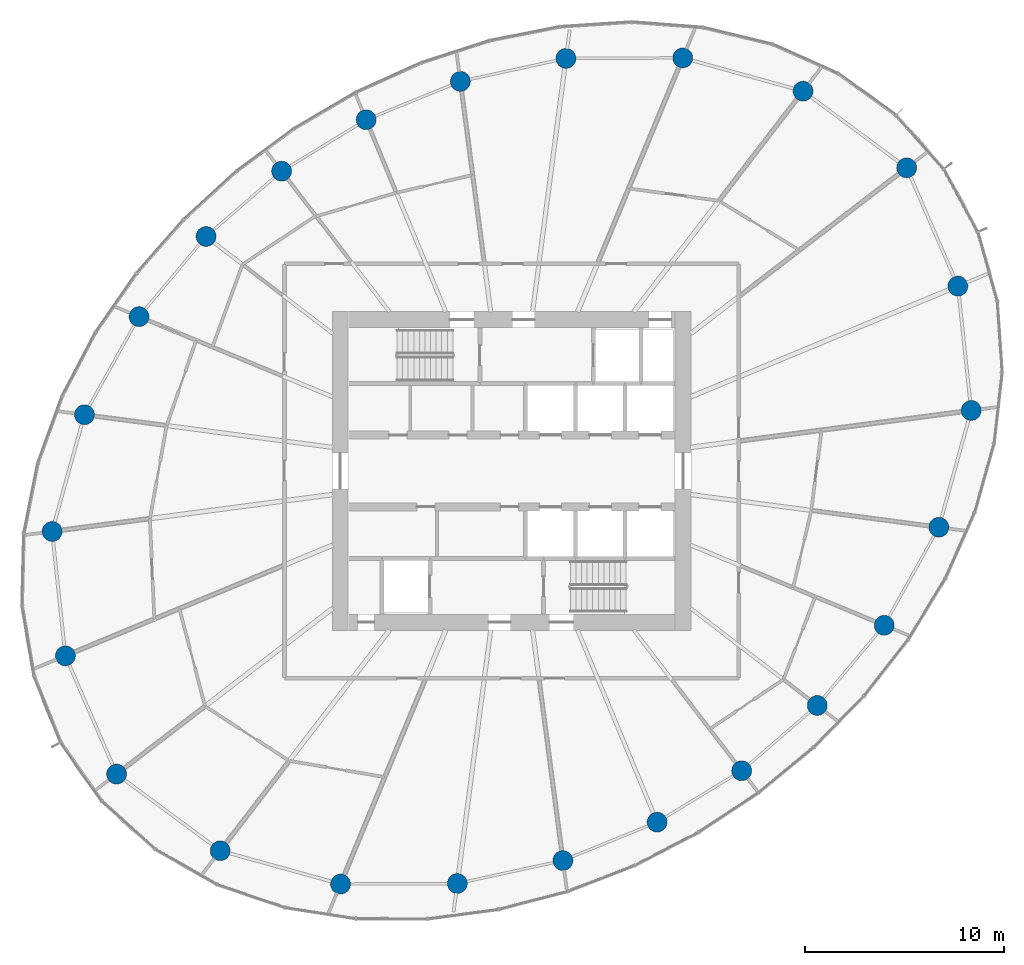
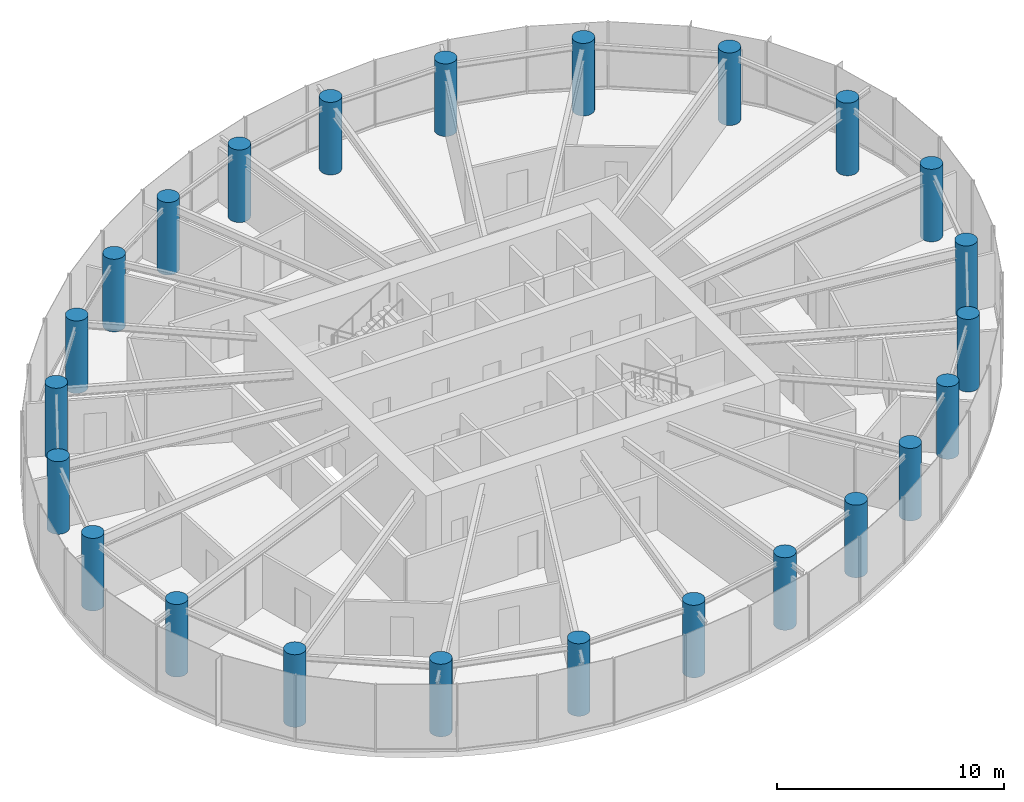
# One storey, part 1 of 15: 24 columns.
"""IFC4 building model written with IfcOpenShell, lengths in metres."""

from ifc_helpers import new_model, si_unit, direction, frame, origin, origin_2d, place, context, subcontext, project, spatial, circle, extrude, source, transform, mapped, material, material_profile, profile_set, type_object, element, save


model = new_model("IFC4")

# Units and contexts
model_context = context("Model", 3, precision=1e-05, world=origin(), true_north=direction((0.0, 1.0)))
body_context = subcontext(model_context, "Body", "Model", "MODEL_VIEW")
ifc_project = project(units=[si_unit("LENGTHUNIT", "METRE"), si_unit("AREAUNIT", "SQUARE_METRE"), si_unit("VOLUMEUNIT", "CUBIC_METRE"), si_unit("PLANEANGLEUNIT", "RADIAN"), si_unit("MASSUNIT", "GRAM", prefix="KILO")], contexts=[model_context])

# Site, building, storey
site_placement = place(None, origin())
site = spatial("IfcSite", under=ifc_project, at=site_placement, CompositionType="ELEMENT")
building_placement = place(site_placement, origin())
building = spatial("IfcBuilding", under=site, at=building_placement, Name="Spindrift Exchange Tower", CompositionType="ELEMENT")
storey_placement = place(building_placement, frame((0.0, 0.0, 172.10009765625)))
storey = spatial("IfcBuildingStorey", under=building, at=storey_placement, Name="L41", CompositionType="ELEMENT", Elevation=172.10009765625)

# Columns
ifc_material = material(Name="Concrete 50 MPa", Category="concrete")
ifc_material_profile = material_profile(ifc_material, circle(Radius=0.5, at=origin_2d()), Name="RC D1000")
ifc_profile_set = profile_set([ifc_material_profile], Name="Concrete 50 MPa")
column_type = type_object("IfcColumnType", Name="RC Perimeter Column D1000 Concrete 50 MPa", PredefinedType="COLUMN", material=ifc_profile_set)
shared_shape = source(origin(), body_context, "Body", "SweptSolid", [
    extrude(circle(Radius=0.5, at=origin_2d()), origin(), (0.0, 0.0, 1.0), 3.89990234375),
])
for number, where, z_axis, x_axis, name in (
    (1, (75.06201171875, 51.0361328125, 0.0), (0.0, 0.0, 1.0), (1.0, 0.0, 0.0), "Perimeter column P3-01 L41"),
    (2, (74.396728515625, 57.277099609375, 0.0), (0.0, 0.0, 1.0), (1.0, 0.0, 0.0), "Perimeter column P3-02 L41"),
    (3, (71.825927734375, 63.212890625, 0.0), (0.0, 0.0, 1.0), (1.0, 0.0, 0.0), "Perimeter column P3-03 L41"),
    (4, (66.625, 67.0595703125, 0.0), (0.0, 0.0, 1.0), (1.0, 0.0, 0.0), "Perimeter column P3-04 L41"),
    (5, (60.5869140625, 68.73095703125, 0.0), (0.0, 0.0, 1.0), (1.0, 0.0, 0.0), "Perimeter column P3-05 L41"),
    (6, (54.725830078125, 68.705322265625, 0.0), (0.0, 0.0, 1.0), (1.0, 0.0, 0.0), "Perimeter column P3-06 L41"),
    (7, (49.426025390625, 67.55126953125, 0.0), (0.0, 0.0, 1.0), (1.0, 0.0, 0.0), "Perimeter column P3-07 L41"),
    (8, (44.69921875, 65.625732421875, 0.0), (0.0, 0.0, 1.0), (1.0, 0.0, 0.0), "Perimeter column P3-08 L41"),
    (9, (40.4560546875, 63.04443359375, 0.0), (0.0, 0.0, 1.0), (1.0, 0.0, 0.0), "Perimeter column P3-09 L41"),
    (10, (36.663818359375, 59.76806640625, 0.0), (0.0, 0.0, 1.0), (1.0, 0.0, 0.0), "Perimeter column P3-10 L41"),
    (11, (33.30078125, 55.74560546875, 0.0), (0.0, 0.0, 1.0), (1.0, 0.0, 0.0), "Perimeter column P3-11 L41"),
    (12, (30.55908203125, 50.82275390625, 0.0), (0.0, 0.0, 1.0), (1.0, 0.0, 0.0), "Perimeter column P3-12 L41"),
    (13, (28.93798828125, 44.9638671875, 0.0), (0.0, 0.0, 1.0), (1.0, 0.0, 0.0), "Perimeter column P3-13 L41"),
    (14, (29.603271484375, 38.722900390625, 0.0), (0.0, 0.0, 1.0), (1.0, 0.0, 0.0), "Perimeter column P3-14 L41"),
    (15, (32.174072265625, 32.787109375, 0.0), (0.0, 0.0, 1.0), (1.0, 0.0, 0.0), "Perimeter column P3-15 L41"),
    (16, (37.375, 28.9404296875, 0.0), (0.0, 0.0, 1.0), (1.0, 0.0, 0.0), "Perimeter column P3-16 L41"),
    (17, (43.4130859375, 27.26904296875, 0.0), (0.0, 0.0, 1.0), (1.0, 0.0, 0.0), "Perimeter column P3-17 L41"),
    (18, (49.274169921875, 27.294677734375, 0.0), (0.0, 0.0, 1.0), (1.0, 0.0, 0.0), "Perimeter column P3-18 L41"),
    (19, (54.573974609375, 28.44873046875, 0.0), (0.0, 0.0, 1.0), (1.0, 0.0, 0.0), "Perimeter column P3-19 L41"),
    (20, (59.30078125, 30.374267578125, 0.0), (0.0, 0.0, 1.0), (1.0, 0.0, 0.0), "Perimeter column P3-20 L41"),
    (21, (63.5439453125, 32.95556640625, 0.0), (0.0, 0.0, 1.0), (1.0, 0.0, 0.0), "Perimeter column P3-21 L41"),
    (22, (67.336181640625, 36.23193359375, 0.0), (0.0, 0.0, 1.0), (1.0, 0.0, 0.0), "Perimeter column P3-22 L41"),
    (23, (70.69921875, 40.25439453125, 0.0), (0.0, 0.0, 1.0), (1.0, 0.0, 0.0), "Perimeter column P3-23 L41"),
    (24, (73.44091796875, 45.17724609375, 0.0), (0.0, 0.0, 1.0), (1.0, 0.0, 0.0), "Perimeter column P3-24 L41"),
):
    element("IfcColumn", number, at=place(storey_placement, frame(where, z_axis=z_axis, x_axis=x_axis)), inside=storey, type_object=column_type, Name=name, PredefinedType="COLUMN", context=body_context, shape_type="MappedRepresentation", body=[
        mapped(shared_shape, transform((0.0, 0.0, 0.0), scale=1.0)),
    ])

save(model, "model.ifc")
